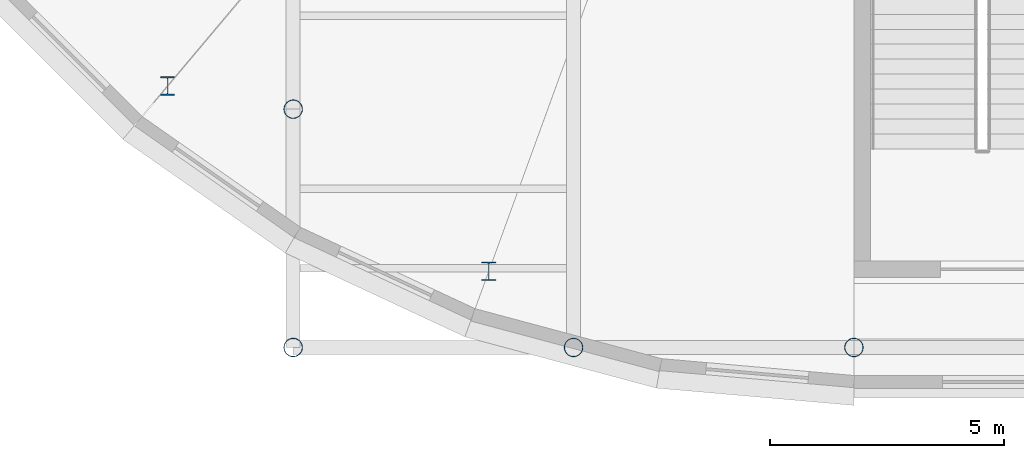
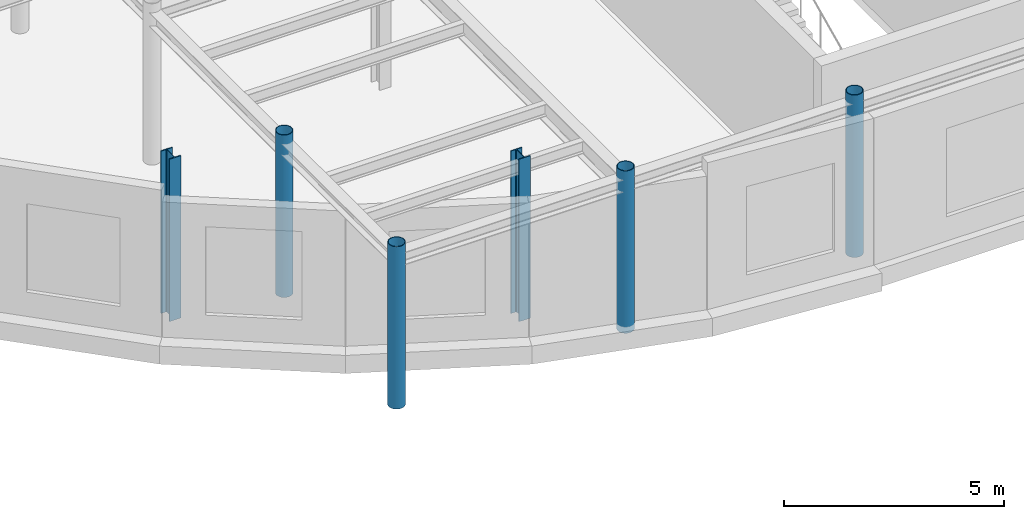
# One storey, part 2 of 91: 6 columns.
"""IFC4 building model written with IfcOpenShell, lengths in metres."""

from ifc_helpers import new_model, si_unit, direction, frame, origin, origin_2d, place, context, subcontext, project, spatial, hollow_circle, i_section, extrude, material, material_profile, profile_set, type_object, element, save


model = new_model("IFC4")

# Units and contexts
model_context = context("Model", 3, precision=1e-05, world=origin(), true_north=direction((0.0, 1.0)))
body_context = subcontext(model_context, "Body", "Model", "MODEL_VIEW")
ifc_project = project(units=[si_unit("LENGTHUNIT", "METRE"), si_unit("AREAUNIT", "SQUARE_METRE"), si_unit("VOLUMEUNIT", "CUBIC_METRE"), si_unit("PLANEANGLEUNIT", "RADIAN"), si_unit("MASSUNIT", "GRAM", prefix="KILO")], contexts=[model_context])

# Site, building, storey
site_placement = place(None, origin())
site = spatial("IfcSite", under=ifc_project, at=site_placement, CompositionType="ELEMENT")
building_placement = place(site_placement, origin())
building = spatial("IfcBuilding", under=site, at=building_placement, Name="Kolvaren Corner Interchange", CompositionType="ELEMENT")
storey_placement = place(building_placement, frame((0.0, 0.0, 6.0)))
storey = spatial("IfcBuildingStorey", under=building, at=storey_placement, Name="L02", CompositionType="ELEMENT", Elevation=6.0)

# Columns
ifc_material_1 = material(Name="Steel S355", Category="steel")
ifc_material_profile_1 = material_profile(ifc_material_1, hollow_circle(Radius=0.203125, WallThickness=0.01611328125, at=origin_2d()), Name="CHS 406.4x16.0")
ifc_profile_set_1 = profile_set([ifc_material_profile_1], Name="Steel S355")
column_type_1 = type_object("IfcColumnType", Name="COL-CHS406", PredefinedType="COLUMN", material=ifc_profile_set_1)
for number, where, z_axis, x_axis, name in (
    (1, (60.0, 24.89990234375, 0.0), (0.0, 0.0, 1.0), (1.0, 0.0, 0.0), "Storey L02 Structural Column 0471"),
    (2, (48.0, 24.89990234375, 0.0), (0.0, 0.0, 1.0), (1.0, 0.0, 0.0), "Storey L02 Structural Column 0679"),
    (3, (48.0, 30.0, 0.0), (0.0, 0.0, 1.0), (1.0, 0.0, 0.0), "Storey L02 Structural Column 0683"),
    (4, (54.0, 24.89990234375, 0.0), (0.0, 0.0, 1.0), (1.0, 0.0, 0.0), "Storey L02 Structural Column 0715"),
):
    element("IfcColumn", number, at=place(storey_placement, frame(where, z_axis=z_axis, x_axis=x_axis)), inside=storey, type_object=column_type_1, Name=name, PredefinedType="COLUMN", context=body_context, shape_type="SweptSolid", body=[
        extrude(hollow_circle(Radius=0.203125, WallThickness=0.01611328125, at=origin_2d()), origin(), (0.0, 0.0, 1.0), 4.5),
    ])
ifc_material_2 = material(Name="Steel S355", Category="steel")
ifc_material_profile_2 = material_profile(ifc_material_2, i_section(OverallWidth=0.300048828125, OverallDepth=0.39990234375, WebThickness=0.013427734375, FlangeThickness=0.02392578125, FilletRadius=0.027099609375, at=origin_2d()), Name="HEB 400")
ifc_profile_set_2 = profile_set([ifc_material_profile_2], Name="Steel S355")
column_type_2 = type_object("IfcColumnType", Name="COL-HEB400", PredefinedType="COLUMN", material=ifc_profile_set_2)
for number, where, z_axis, x_axis, name in (
    (5, (45.31201171875, 30.49609375, 0.0), (0.0, 0.0, 1.0), (1.0, 0.0, 0.0), "Storey L02 Structural Column 0809"),
    (6, (52.18505859375, 26.528076171875, 0.0), (0.0, 0.0, 1.0), (1.0, 0.0, 0.0), "Storey L02 Structural Column 0813"),
):
    element("IfcColumn", number, at=place(storey_placement, frame(where, z_axis=z_axis, x_axis=x_axis)), inside=storey, type_object=column_type_2, Name=name, PredefinedType="COLUMN", context=body_context, shape_type="SweptSolid", body=[
        extrude(i_section(OverallWidth=0.300048828125, OverallDepth=0.39990234375, WebThickness=0.013427734375, FlangeThickness=0.02392578125, FilletRadius=0.027099609375, at=origin_2d()), origin(), (0.0, 0.0, 1.0), 4.5),
    ])

save(model, "model.ifc")
